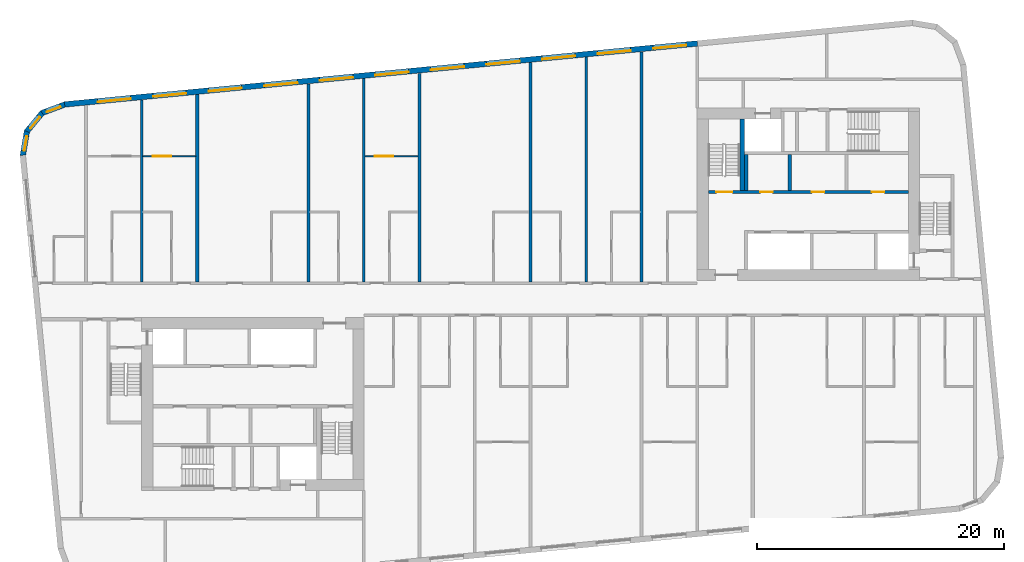
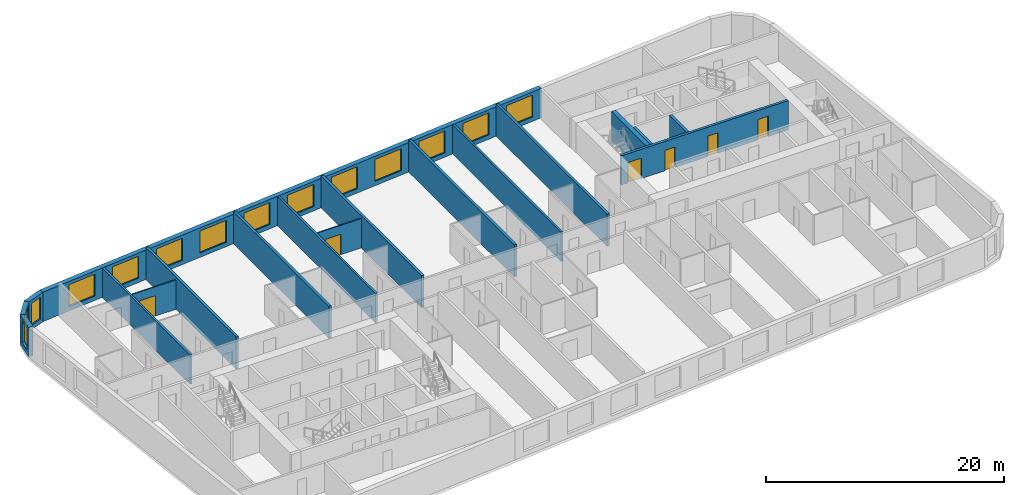
# One storey, part 6 of 12: 18 walls, 14 windows, 6 doors, 20 openings.
"""IFC4 building model written with IfcOpenShell, lengths in metres."""

from ifc_helpers import new_model, si_unit, direction, frame, frame_2d, origin, place, context, subcontext, project, spatial, polyline, rectangle, outline, extrude, material, layer, layer_set, type_object, element, fill, save


model = new_model("IFC4")

# Units and contexts
model_context = context("Model", 3, precision=1e-05, world=origin(), true_north=direction((0.0, 1.0)))
body_context = subcontext(model_context, "Body", "Model", "MODEL_VIEW")
ifc_project = project(units=[si_unit("LENGTHUNIT", "METRE"), si_unit("AREAUNIT", "SQUARE_METRE"), si_unit("VOLUMEUNIT", "CUBIC_METRE"), si_unit("PLANEANGLEUNIT", "RADIAN"), si_unit("MASSUNIT", "GRAM", prefix="KILO")], contexts=[model_context])

# Site, building, storey
site_placement = place(None, origin())
site = spatial("IfcSite", under=ifc_project, at=site_placement, CompositionType="ELEMENT")
building_placement = place(site_placement, origin())
building = spatial("IfcBuilding", under=site, at=building_placement, Name="Kajstack Hotel Tower", CompositionType="ELEMENT")
storey_placement = place(building_placement, frame((0.0, 0.0, 294.89990234375)))
storey = spatial("IfcBuildingStorey", under=building, at=storey_placement, Name="L74", CompositionType="ELEMENT", Elevation=294.89990234375)

# Walls
ifc_material_1 = material(Name="Twin-frame gypsum board on steel studs, mineral wool", Category="steel")
ifc_layer_1 = layer(ifc_material_1, 0.199951171875)
ifc_layer_set_1 = layer_set([ifc_layer_1], Name="Demising wall 200")
wall_type_1 = type_object("IfcWallType", Name="Demising wall 200", PredefinedType="PARTITIONING", material=ifc_layer_set_1)
wall_1_placement = place(storey_placement, frame((-31.5, 1.39990234375, 0.0), z_axis=(0.0, 0.0, 1.0), x_axis=(0.0, 1.0, 0.0)))
element("IfcWall", 1, at=wall_1_placement, inside=storey, type_object=wall_type_1, Name="G-wall-L74-006", PredefinedType="PARTITIONING", context=body_context, shape_type="SweptSolid", body=[
    extrude(rectangle(XDim=14.752197265625, YDim=0.199951171875, at=frame_2d((7.3759765625, 0.0))), origin(), (0.0, 0.0, 1.0), 3.02001953125),
])
wall_2_placement = place(storey_placement, frame((-13.5, 1.39990234375, 0.0), z_axis=(0.0, 0.0, 1.0), x_axis=(0.0, 1.0, 0.0)))
element("IfcWall", 2, at=wall_2_placement, inside=storey, type_object=wall_type_1, Name="G-wall-L74-015", PredefinedType="PARTITIONING", context=body_context, shape_type="SweptSolid", body=[
    extrude(rectangle(XDim=16.485107421875, YDim=0.199951171875, at=frame_2d((8.24267578125, 0.0))), origin(), (0.0, 0.0, 1.0), 3.02001953125),
])
wall_3_placement = place(storey_placement, frame((4.5, 1.39990234375, 0.0), z_axis=(0.0, 0.0, 1.0), x_axis=(0.0, 1.0, 0.0)))
element("IfcWall", 3, at=wall_3_placement, inside=storey, type_object=wall_type_1, Name="G-wall-L74-023", PredefinedType="PARTITIONING", context=body_context, shape_type="SweptSolid", body=[
    extrude(rectangle(XDim=18.218017578125, YDim=0.199951171875, at=frame_2d((9.10888671875, 0.0))), origin(), (0.0, 0.0, 1.0), 3.02001953125),
])

# Wall, openings, windows
ifc_material_2 = material(Name="Terracotta-faced brick masonry", Category="masonry")
ifc_layer_2 = layer(ifc_material_2, 0.449951171875)
ifc_layer_set_2 = layer_set([ifc_layer_2], Name="EW-TERRA")
wall_type_2 = type_object("IfcWallType", Name="EW-TERRA", PredefinedType="SOLIDWALL", material=ifc_layer_set_2)
wall_4_placement = place(storey_placement, frame((13.521484375, 20.712890625, 0.0), z_axis=(0.0, 0.0, 1.0), x_axis=(-0.995396277313, -0.095844932638, 0.0)))
wall_4 = element("IfcWall", 4, at=wall_4_placement, inside=storey, type_object=wall_type_2, Name="E-wall-L74-12-01", PredefinedType="SOLIDWALL", context=body_context, shape_type="SweptSolid", body=[
    extrude(rectangle(XDim=51.4951171875, YDim=0.449951171875, at=frame_2d((25.74755859375, 0.0))), origin(), (0.0, 0.0, 1.0), 3.02001953125),
])
opening_1_placement = place(wall_4_placement, frame((0.910400390625, 0.0, 0.449951171875)))
opening_1 = element("IfcOpeningElement", 5, at=opening_1_placement, cuts=wall_4, Name="Opening W1", PredefinedType="OPENING", context=body_context, shape_type="SweptSolid", body=[
    extrude(rectangle(XDim=2.699951171875, YDim=2.25, at=frame_2d((1.35009765625, 1.125))), frame((0.0, 0.23486328125, 0.0), z_axis=(0.0, -1.0, 0.0), x_axis=(1.0, 0.0, 0.0)), (0.0, 0.0, 1.0), 0.469970703125),
])
opening_2_placement = place(wall_4_placement, frame((5.43115234375, 0.0, 0.449951171875)))
opening_2 = element("IfcOpeningElement", 6, at=opening_2_placement, cuts=wall_4, Name="Opening W1", PredefinedType="OPENING", context=body_context, shape_type="SweptSolid", body=[
    extrude(rectangle(XDim=2.699951171875, YDim=2.25, at=frame_2d((1.35009765625, 1.125))), frame((0.0, 0.23486328125, 0.0), z_axis=(0.0, -1.0, 0.0), x_axis=(1.0, 0.0, 0.0)), (0.0, 0.0, 1.0), 0.469970703125),
])
opening_3_placement = place(wall_4_placement, frame((9.951904296875, 0.0, 0.449951171875)))
opening_3 = element("IfcOpeningElement", 7, at=opening_3_placement, cuts=wall_4, Name="Opening W1", PredefinedType="OPENING", context=body_context, shape_type="SweptSolid", body=[
    extrude(rectangle(XDim=2.699951171875, YDim=2.25, at=frame_2d((1.35009765625, 1.125))), frame((0.0, 0.23486328125, 0.0), z_axis=(0.0, -1.0, 0.0), x_axis=(1.0, 0.0, 0.0)), (0.0, 0.0, 1.0), 0.469970703125),
])
opening_4_placement = place(wall_4_placement, frame((14.472900390625, 0.0, 0.449951171875)))
opening_4 = element("IfcOpeningElement", 8, at=opening_4_placement, cuts=wall_4, Name="Opening W1", PredefinedType="OPENING", context=body_context, shape_type="SweptSolid", body=[
    extrude(rectangle(XDim=2.699951171875, YDim=2.25, at=frame_2d((1.35009765625, 1.125))), frame((0.0, 0.23486328125, 0.0), z_axis=(0.0, -1.0, 0.0), x_axis=(1.0, 0.0, 0.0)), (0.0, 0.0, 1.0), 0.469970703125),
])
opening_5_placement = place(wall_4_placement, frame((18.99365234375, 0.0, 0.449951171875)))
opening_5 = element("IfcOpeningElement", 9, at=opening_5_placement, cuts=wall_4, Name="Opening W1", PredefinedType="OPENING", context=body_context, shape_type="SweptSolid", body=[
    extrude(rectangle(XDim=2.699951171875, YDim=2.25, at=frame_2d((1.35009765625, 1.125))), frame((0.0, 0.23486328125, 0.0), z_axis=(0.0, -1.0, 0.0), x_axis=(1.0, 0.0, 0.0)), (0.0, 0.0, 1.0), 0.469970703125),
])
opening_6_placement = place(wall_4_placement, frame((23.514404296875, 0.0, 0.449951171875)))
opening_6 = element("IfcOpeningElement", 10, at=opening_6_placement, cuts=wall_4, Name="Opening W1", PredefinedType="OPENING", context=body_context, shape_type="SweptSolid", body=[
    extrude(rectangle(XDim=2.699951171875, YDim=2.25, at=frame_2d((1.35009765625, 1.125))), frame((0.0, 0.23486328125, 0.0), z_axis=(0.0, -1.0, 0.0), x_axis=(1.0, 0.0, 0.0)), (0.0, 0.0, 1.0), 0.469970703125),
])
opening_7_placement = place(wall_4_placement, frame((28.035400390625, 0.0, 0.449951171875)))
opening_7 = element("IfcOpeningElement", 11, at=opening_7_placement, cuts=wall_4, Name="Opening W1", PredefinedType="OPENING", context=body_context, shape_type="SweptSolid", body=[
    extrude(rectangle(XDim=2.699951171875, YDim=2.25, at=frame_2d((1.35009765625, 1.125))), frame((0.0, 0.23486328125, 0.0), z_axis=(0.0, -1.0, 0.0), x_axis=(1.0, 0.0, 0.0)), (0.0, 0.0, 1.0), 0.469970703125),
])
opening_8_placement = place(wall_4_placement, frame((32.55615234375, 0.0, 0.449951171875)))
opening_8 = element("IfcOpeningElement", 12, at=opening_8_placement, cuts=wall_4, Name="Opening W1", PredefinedType="OPENING", context=body_context, shape_type="SweptSolid", body=[
    extrude(rectangle(XDim=2.699951171875, YDim=2.25, at=frame_2d((1.35009765625, 1.125))), frame((0.0, 0.23486328125, 0.0), z_axis=(0.0, -1.0, 0.0), x_axis=(1.0, 0.0, 0.0)), (0.0, 0.0, 1.0), 0.469970703125),
])
opening_9_placement = place(wall_4_placement, frame((37.076904296875, 0.0, 0.449951171875)))
opening_9 = element("IfcOpeningElement", 13, at=opening_9_placement, cuts=wall_4, Name="Opening W1", PredefinedType="OPENING", context=body_context, shape_type="SweptSolid", body=[
    extrude(rectangle(XDim=2.699951171875, YDim=2.25, at=frame_2d((1.35009765625, 1.125))), frame((0.0, 0.23486328125, 0.0), z_axis=(0.0, -1.0, 0.0), x_axis=(1.0, 0.0, 0.0)), (0.0, 0.0, 1.0), 0.469970703125),
])
opening_10_placement = place(wall_4_placement, frame((41.59765625, 0.0, 0.449951171875)))
opening_10 = element("IfcOpeningElement", 14, at=opening_10_placement, cuts=wall_4, Name="Opening W1", PredefinedType="OPENING", context=body_context, shape_type="SweptSolid", body=[
    extrude(rectangle(XDim=2.699951171875, YDim=2.25, at=frame_2d((1.35009765625, 1.125))), frame((0.0, 0.23486328125, 0.0), z_axis=(0.0, -1.0, 0.0), x_axis=(1.0, 0.0, 0.0)), (0.0, 0.0, 1.0), 0.469970703125),
])
opening_11_placement = place(wall_4_placement, frame((46.118408203125, 0.0, 0.449951171875)))
opening_11 = element("IfcOpeningElement", 15, at=opening_11_placement, cuts=wall_4, Name="Opening W1", PredefinedType="OPENING", context=body_context, shape_type="SweptSolid", body=[
    extrude(rectangle(XDim=2.699951171875, YDim=2.25, at=frame_2d((1.35009765625, 1.125))), frame((0.0, 0.23486328125, 0.0), z_axis=(0.0, -1.0, 0.0), x_axis=(1.0, 0.0, 0.0)), (0.0, 0.0, 1.0), 0.469970703125),
])
ifc_material_3 = material(Name="Timber-aluminium window, triple glazed", Category="wood")
window_type_1 = type_object("IfcWindowType", Name="WG1", PartitioningType="SINGLE_PANEL", PredefinedType="WINDOW", material=ifc_material_3)
window_1_placement = place(opening_1_placement, origin())
window_1 = element("IfcWindow", 16, at=window_1_placement, inside=storey, type_object=window_type_1, Name="Window W1 L74-12", OverallHeight=2.25, OverallWidth=2.699951171875, PartitioningType="SINGLE_PANEL", PredefinedType="WINDOW", context=body_context, shape_type="SweptSolid", body=[
    extrude(rectangle(XDim=2.699951171875, YDim=2.25, at=frame_2d((1.35009765625, 1.125))), frame((0.0, 0.090087890625, 0.0), z_axis=(0.0, -1.0, 0.0), x_axis=(1.0, 0.0, 0.0)), (0.0, 0.0, 1.0), 0.06005859375),
])
fill(opening_1, window_1)
window_2_placement = place(opening_2_placement, origin())
window_2 = element("IfcWindow", 17, at=window_2_placement, inside=storey, type_object=window_type_1, Name="Window W1 L74-12", OverallHeight=2.25, OverallWidth=2.699951171875, PartitioningType="SINGLE_PANEL", PredefinedType="WINDOW", context=body_context, shape_type="SweptSolid", body=[
    extrude(rectangle(XDim=2.699951171875, YDim=2.25, at=frame_2d((1.35009765625, 1.125))), frame((0.0, 0.090087890625, 0.0), z_axis=(0.0, -1.0, 0.0), x_axis=(1.0, 0.0, 0.0)), (0.0, 0.0, 1.0), 0.06005859375),
])
fill(opening_2, window_2)
window_3_placement = place(opening_3_placement, origin())
window_3 = element("IfcWindow", 18, at=window_3_placement, inside=storey, type_object=window_type_1, Name="Window W1 L74-12", OverallHeight=2.25, OverallWidth=2.699951171875, PartitioningType="SINGLE_PANEL", PredefinedType="WINDOW", context=body_context, shape_type="SweptSolid", body=[
    extrude(rectangle(XDim=2.699951171875, YDim=2.25, at=frame_2d((1.35009765625, 1.125))), frame((0.0, 0.090087890625, 0.0), z_axis=(0.0, -1.0, 0.0), x_axis=(1.0, 0.0, 0.0)), (0.0, 0.0, 1.0), 0.06005859375),
])
fill(opening_3, window_3)
window_4_placement = place(opening_4_placement, origin())
window_4 = element("IfcWindow", 19, at=window_4_placement, inside=storey, type_object=window_type_1, Name="Window W1 L74-12", OverallHeight=2.25, OverallWidth=2.699951171875, PartitioningType="SINGLE_PANEL", PredefinedType="WINDOW", context=body_context, shape_type="SweptSolid", body=[
    extrude(rectangle(XDim=2.699951171875, YDim=2.25, at=frame_2d((1.35009765625, 1.125))), frame((0.0, 0.090087890625, 0.0), z_axis=(0.0, -1.0, 0.0), x_axis=(1.0, 0.0, 0.0)), (0.0, 0.0, 1.0), 0.06005859375),
])
fill(opening_4, window_4)
window_5_placement = place(opening_5_placement, origin())
window_5 = element("IfcWindow", 20, at=window_5_placement, inside=storey, type_object=window_type_1, Name="Window W1 L74-12", OverallHeight=2.25, OverallWidth=2.699951171875, PartitioningType="SINGLE_PANEL", PredefinedType="WINDOW", context=body_context, shape_type="SweptSolid", body=[
    extrude(rectangle(XDim=2.699951171875, YDim=2.25, at=frame_2d((1.35009765625, 1.125))), frame((0.0, 0.090087890625, 0.0), z_axis=(0.0, -1.0, 0.0), x_axis=(1.0, 0.0, 0.0)), (0.0, 0.0, 1.0), 0.06005859375),
])
fill(opening_5, window_5)
window_6_placement = place(opening_6_placement, origin())
window_6 = element("IfcWindow", 21, at=window_6_placement, inside=storey, type_object=window_type_1, Name="Window W1 L74-12", OverallHeight=2.25, OverallWidth=2.699951171875, PartitioningType="SINGLE_PANEL", PredefinedType="WINDOW", context=body_context, shape_type="SweptSolid", body=[
    extrude(rectangle(XDim=2.699951171875, YDim=2.25, at=frame_2d((1.35009765625, 1.125))), frame((0.0, 0.090087890625, 0.0), z_axis=(0.0, -1.0, 0.0), x_axis=(1.0, 0.0, 0.0)), (0.0, 0.0, 1.0), 0.06005859375),
])
fill(opening_6, window_6)
window_7_placement = place(opening_7_placement, origin())
window_7 = element("IfcWindow", 22, at=window_7_placement, inside=storey, type_object=window_type_1, Name="Window W1 L74-12", OverallHeight=2.25, OverallWidth=2.699951171875, PartitioningType="SINGLE_PANEL", PredefinedType="WINDOW", context=body_context, shape_type="SweptSolid", body=[
    extrude(rectangle(XDim=2.699951171875, YDim=2.25, at=frame_2d((1.35009765625, 1.125))), frame((0.0, 0.090087890625, 0.0), z_axis=(0.0, -1.0, 0.0), x_axis=(1.0, 0.0, 0.0)), (0.0, 0.0, 1.0), 0.06005859375),
])
fill(opening_7, window_7)
window_8_placement = place(opening_8_placement, origin())
window_8 = element("IfcWindow", 23, at=window_8_placement, inside=storey, type_object=window_type_1, Name="Window W1 L74-12", OverallHeight=2.25, OverallWidth=2.699951171875, PartitioningType="SINGLE_PANEL", PredefinedType="WINDOW", context=body_context, shape_type="SweptSolid", body=[
    extrude(rectangle(XDim=2.699951171875, YDim=2.25, at=frame_2d((1.35009765625, 1.125))), frame((0.0, 0.090087890625, 0.0), z_axis=(0.0, -1.0, 0.0), x_axis=(1.0, 0.0, 0.0)), (0.0, 0.0, 1.0), 0.06005859375),
])
fill(opening_8, window_8)
window_9_placement = place(opening_9_placement, origin())
window_9 = element("IfcWindow", 24, at=window_9_placement, inside=storey, type_object=window_type_1, Name="Window W1 L74-12", OverallHeight=2.25, OverallWidth=2.699951171875, PartitioningType="SINGLE_PANEL", PredefinedType="WINDOW", context=body_context, shape_type="SweptSolid", body=[
    extrude(rectangle(XDim=2.699951171875, YDim=2.25, at=frame_2d((1.35009765625, 1.125))), frame((0.0, 0.090087890625, 0.0), z_axis=(0.0, -1.0, 0.0), x_axis=(1.0, 0.0, 0.0)), (0.0, 0.0, 1.0), 0.06005859375),
])
fill(opening_9, window_9)
window_10_placement = place(opening_10_placement, origin())
window_10 = element("IfcWindow", 25, at=window_10_placement, inside=storey, type_object=window_type_1, Name="Window W1 L74-12", OverallHeight=2.25, OverallWidth=2.699951171875, PartitioningType="SINGLE_PANEL", PredefinedType="WINDOW", context=body_context, shape_type="SweptSolid", body=[
    extrude(rectangle(XDim=2.699951171875, YDim=2.25, at=frame_2d((1.35009765625, 1.125))), frame((0.0, 0.090087890625, 0.0), z_axis=(0.0, -1.0, 0.0), x_axis=(1.0, 0.0, 0.0)), (0.0, 0.0, 1.0), 0.06005859375),
])
fill(opening_10, window_10)
window_11_placement = place(opening_11_placement, origin())
window_11 = element("IfcWindow", 26, at=window_11_placement, inside=storey, type_object=window_type_1, Name="Window W1 L74-12", OverallHeight=2.25, OverallWidth=2.699951171875, PartitioningType="SINGLE_PANEL", PredefinedType="WINDOW", context=body_context, shape_type="SweptSolid", body=[
    extrude(rectangle(XDim=2.699951171875, YDim=2.25, at=frame_2d((1.35009765625, 1.125))), frame((0.0, 0.090087890625, 0.0), z_axis=(0.0, -1.0, 0.0), x_axis=(1.0, 0.0, 0.0)), (0.0, 0.0, 1.0), 0.06005859375),
])
fill(opening_11, window_11)

# Wall, opening, window
wall_5_placement = place(storey_placement, frame((-37.67919921875, 15.79052734375, 0.0), z_axis=(0.0, 0.0, 1.0), x_axis=(-0.936677599948, -0.350192909346, 0.0)))
wall_5 = element("IfcWall", 27, at=wall_5_placement, inside=storey, type_object=wall_type_2, Name="E-wall-L74-13-00", PredefinedType="SOLIDWALL", context=body_context, shape_type="SweptSolid", body=[
    extrude(outline(polyline([(0.000244140625, -0.224853515625), (2.070556640625, -0.224853515625), (1.949951171875, 0.22509765625), (0.12060546875, 0.22509765625), (0.000244140625, -0.224853515625)])), origin(), (0.0, 0.0, 1.0), 3.02001953125),
])
opening_12_placement = place(wall_5_placement, frame((0.435302734375, 0.0, 0.449951171875)))
opening_12 = element("IfcOpeningElement", 28, at=opening_12_placement, cuts=wall_5, Name="Opening W3", PredefinedType="OPENING", context=body_context, shape_type="SweptSolid", body=[
    extrude(rectangle(XDim=1.199951171875, YDim=2.25, at=frame_2d((0.60009765625, 1.125))), frame((0.0, 0.23486328125, 0.0), z_axis=(0.0, -1.0, 0.0), x_axis=(1.0, 0.0, 0.0)), (0.0, 0.0, 1.0), 0.469970703125),
])
window_type_2 = type_object("IfcWindowType", Name="WG3", PartitioningType="SINGLE_PANEL", PredefinedType="WINDOW", material=ifc_material_3)
window_12_placement = place(opening_12_placement, origin())
window_12 = element("IfcWindow", 29, at=window_12_placement, inside=storey, type_object=window_type_2, Name="Window W3 L74-13", OverallHeight=2.25, OverallWidth=1.199951171875, PartitioningType="SINGLE_PANEL", PredefinedType="WINDOW", context=body_context, shape_type="SweptSolid", body=[
    extrude(rectangle(XDim=1.199951171875, YDim=2.25, at=frame_2d((0.60009765625, 1.125))), frame((0.0, 0.090087890625, 0.0), z_axis=(0.0, -1.0, 0.0), x_axis=(1.0, 0.0, 0.0)), (0.0, 0.0, 1.0), 0.06005859375),
])
fill(opening_12, window_12)

wall_6_placement = place(storey_placement, frame((-39.52392578125, 15.133056640625, 0.0), z_axis=(0.0, 0.0, 1.0), x_axis=(-0.636046112757, -0.771651049663, 0.0)))
wall_6 = element("IfcWall", 30, at=wall_6_placement, inside=storey, type_object=wall_type_2, Name="E-wall-L74-14-00", PredefinedType="SOLIDWALL", context=body_context, shape_type="SweptSolid", body=[
    extrude(outline(polyline([(0.0, -0.224853515625), (2.070556640625, -0.224853515625), (1.949951171875, 0.22509765625), (0.12060546875, 0.22509765625), (0.0, -0.224853515625)])), origin(), (0.0, 0.0, 1.0), 3.02001953125),
])
opening_13_placement = place(wall_6_placement, frame((0.435302734375, 0.0, 0.449951171875)))
opening_13 = element("IfcOpeningElement", 31, at=opening_13_placement, cuts=wall_6, Name="Opening W3", PredefinedType="OPENING", context=body_context, shape_type="SweptSolid", body=[
    extrude(rectangle(XDim=1.199951171875, YDim=2.25, at=frame_2d((0.60009765625, 1.125))), frame((0.0, 0.23486328125, 0.0), z_axis=(0.0, -1.0, 0.0), x_axis=(1.0, 0.0, 0.0)), (0.0, 0.0, 1.0), 0.469970703125),
])
window_13_placement = place(opening_13_placement, origin())
window_13 = element("IfcWindow", 32, at=window_13_placement, inside=storey, type_object=window_type_2, Name="Window W3 L74-14", OverallHeight=2.25, OverallWidth=1.199951171875, PartitioningType="SINGLE_PANEL", PredefinedType="WINDOW", context=body_context, shape_type="SweptSolid", body=[
    extrude(rectangle(XDim=1.199951171875, YDim=2.25, at=frame_2d((0.60009765625, 1.125))), frame((0.0, 0.090087890625, 0.0), z_axis=(0.0, -1.0, 0.0), x_axis=(1.0, 0.0, 0.0)), (0.0, 0.0, 1.0), 0.06005859375),
])
fill(opening_13, window_13)

wall_7_placement = place(storey_placement, frame((-40.79248046875, 13.641357421875, 0.0), z_axis=(0.0, 0.0, 1.0), x_axis=(-0.165068144653, -0.986282164302, 0.0)))
wall_7 = element("IfcWall", 33, at=wall_7_placement, inside=storey, type_object=wall_type_2, Name="E-wall-L74-15-00", PredefinedType="SOLIDWALL", context=body_context, shape_type="SweptSolid", body=[
    extrude(outline(polyline([(0.0, -0.22509765625), (2.070556640625, -0.22509765625), (1.949951171875, 0.224853515625), (0.12060546875, 0.224853515625), (0.0, -0.22509765625)])), origin(), (0.0, 0.0, 1.0), 3.02001953125),
])
opening_14_placement = place(wall_7_placement, frame((0.435302734375, 0.0, 0.449951171875)))
opening_14 = element("IfcOpeningElement", 34, at=opening_14_placement, cuts=wall_7, Name="Opening W3", PredefinedType="OPENING", context=body_context, shape_type="SweptSolid", body=[
    extrude(rectangle(XDim=1.199951171875, YDim=2.25, at=frame_2d((0.60009765625, 1.125))), frame((0.0, 0.23486328125, 0.0), z_axis=(0.0, -1.0, 0.0), x_axis=(1.0, 0.0, 0.0)), (0.0, 0.0, 1.0), 0.469970703125),
])
window_14_placement = place(opening_14_placement, origin())
window_14 = element("IfcWindow", 35, at=window_14_placement, inside=storey, type_object=window_type_2, Name="Window W3 L74-15", OverallHeight=2.25, OverallWidth=1.199951171875, PartitioningType="SINGLE_PANEL", PredefinedType="WINDOW", context=body_context, shape_type="SweptSolid", body=[
    extrude(rectangle(XDim=1.199951171875, YDim=2.25, at=frame_2d((0.60009765625, 1.125))), frame((0.0, 0.090087890625, 0.0), z_axis=(0.0, -1.0, 0.0), x_axis=(1.0, 0.0, 0.0)), (0.0, 0.0, 1.0), 0.06005859375),
])
fill(opening_14, window_14)

# Wall, opening, door
ifc_material_4 = material(Name="Gypsum board on steel studs", Category="steel")
ifc_layer_3 = layer(ifc_material_4, 0.10009765625)
ifc_layer_set_3 = layer_set([ifc_layer_3], Name="Partition 100")
wall_type_3 = type_object("IfcWallType", Name="Partition 100", PredefinedType="PARTITIONING", material=ifc_layer_set_3)
wall_8_placement = place(storey_placement, frame((-31.39990234375, 11.574951171875, 0.0), z_axis=(0.0, 0.0, 1.0), x_axis=(1.0, 0.0, 0.0)))
wall_8 = element("IfcWall", 36, at=wall_8_placement, inside=storey, type_object=wall_type_3, Name="G-wall-L74-012", PredefinedType="PARTITIONING", context=body_context, shape_type="SweptSolid", body=[
    extrude(rectangle(XDim=4.27490234375, YDim=0.10009765625, at=frame_2d((2.137451171875, 0.0))), origin(), (0.0, 0.0, 1.0), 3.02001953125),
])
opening_15_placement = place(wall_8_placement, frame((0.787109375, 0.0, 0.0)))
opening_15 = element("IfcOpeningElement", 37, at=opening_15_placement, cuts=wall_8, Name="Opening 74008", PredefinedType="OPENING", context=body_context, shape_type="SweptSolid", body=[
    extrude(rectangle(XDim=1.5, YDim=2.10009765625, at=frame_2d((0.75, 1.050048828125))), frame((0.0, 0.06005859375, 0.0), z_axis=(0.0, -1.0, 0.0), x_axis=(1.0, 0.0, 0.0)), (0.0, 0.0, 1.0), 0.1201171875),
])
ifc_material_5 = material(Name="Painted timber door leaves, glazed panels", Category="wood")
door_type_1 = type_object("IfcDoorType", Name="Double door 1500", OperationType="SINGLE_SWING_LEFT", PredefinedType="DOOR", material=ifc_material_5)
door_1_placement = place(opening_15_placement, origin())
door_1 = element("IfcDoor", 38, at=door_1_placement, inside=storey, type_object=door_type_1, Name="G-door-L74-08", OperationType="SINGLE_SWING_RIGHT", OverallHeight=2.10009765625, OverallWidth=1.5, PredefinedType="DOOR", context=body_context, shape_type="SweptSolid", body=[
    extrude(rectangle(XDim=1.5, YDim=2.10009765625, at=frame_2d((0.75, 1.050048828125))), frame((0.0, 0.02490234375, 0.0), z_axis=(0.0, -1.0, 0.0), x_axis=(1.0, 0.0, 0.0)), (0.0, 0.0, 1.0), 0.050048828125),
])
fill(opening_15, door_1)

wall_9_placement = place(storey_placement, frame((-13.39990234375, 11.574951171875, 0.0), z_axis=(0.0, 0.0, 1.0), x_axis=(1.0, 0.0, 0.0)))
wall_9 = element("IfcWall", 39, at=wall_9_placement, inside=storey, type_object=wall_type_3, Name="G-wall-L74-020", PredefinedType="PARTITIONING", context=body_context, shape_type="SweptSolid", body=[
    extrude(rectangle(XDim=4.27490234375, YDim=0.10009765625, at=frame_2d((2.137451171875, 0.0))), origin(), (0.0, 0.0, 1.0), 3.02001953125),
])
opening_16_placement = place(wall_9_placement, frame((0.7880859375, 0.0, 0.0)))
opening_16 = element("IfcOpeningElement", 40, at=opening_16_placement, cuts=wall_9, Name="Opening 74015", PredefinedType="OPENING", context=body_context, shape_type="SweptSolid", body=[
    extrude(rectangle(XDim=1.5, YDim=2.10009765625, at=frame_2d((0.75, 1.050048828125))), frame((0.0, 0.06005859375, 0.0), z_axis=(0.0, -1.0, 0.0), x_axis=(1.0, 0.0, 0.0)), (0.0, 0.0, 1.0), 0.1201171875),
])
door_2_placement = place(opening_16_placement, origin())
door_2 = element("IfcDoor", 41, at=door_2_placement, inside=storey, type_object=door_type_1, Name="G-door-L74-15", OperationType="SINGLE_SWING_LEFT", OverallHeight=2.10009765625, OverallWidth=1.5, PredefinedType="DOOR", context=body_context, shape_type="SweptSolid", body=[
    extrude(rectangle(XDim=1.5, YDim=2.10009765625, at=frame_2d((0.75, 1.050048828125))), frame((0.0, 0.02490234375, 0.0), z_axis=(0.0, -1.0, 0.0), x_axis=(1.0, 0.0, 0.0)), (0.0, 0.0, 1.0), 0.050048828125),
])
fill(opening_16, door_2)

# Walls
ifc_material_6 = material(Name="Concrete C40/50", Category="concrete")
ifc_layer_4 = layer(ifc_material_6, 0.25)
ifc_layer_set_4 = layer_set([ifc_layer_4], Name="RC cross wall 250 C40/50")
wall_type_4 = type_object("IfcWallType", Name="RC cross wall 250 C40/50", PredefinedType="SHEAR", material=ifc_layer_set_4)
wall_10_placement = place(storey_placement, frame((-27.0, 1.39990234375, 0.0), z_axis=(0.0, 0.0, 1.0), x_axis=(0.0, 1.0, 0.0)))
element("IfcWall", 42, at=wall_10_placement, inside=storey, type_object=wall_type_4, Name="S-wall-L74-02", PredefinedType="SHEAR", context=body_context, shape_type="SweptSolid", body=[
    extrude(rectangle(XDim=15.1630859375, YDim=0.25, at=frame_2d((7.58154296875, 0.0))), origin(), (0.0, 0.0, 1.0), 3.300048828125),
])
wall_11_placement = place(storey_placement, frame((-18.0, 1.39990234375, 0.0), z_axis=(0.0, 0.0, 1.0), x_axis=(0.0, 1.0, 0.0)))
element("IfcWall", 43, at=wall_11_placement, inside=storey, type_object=wall_type_4, Name="S-wall-L74-03", PredefinedType="SHEAR", context=body_context, shape_type="SweptSolid", body=[
    extrude(rectangle(XDim=16.029541015625, YDim=0.25, at=frame_2d((8.0146484375, 0.0))), origin(), (0.0, 0.0, 1.0), 3.300048828125),
])
wall_12_placement = place(storey_placement, frame((-9.0, 1.39990234375, 0.0), z_axis=(0.0, 0.0, 1.0), x_axis=(0.0, 1.0, 0.0)))
element("IfcWall", 44, at=wall_12_placement, inside=storey, type_object=wall_type_4, Name="S-wall-L74-05", PredefinedType="SHEAR", context=body_context, shape_type="SweptSolid", body=[
    extrude(rectangle(XDim=16.896240234375, YDim=0.25, at=frame_2d((8.4482421875, 0.0))), origin(), (0.0, 0.0, 1.0), 3.300048828125),
])
wall_13_placement = place(storey_placement, frame((0.0, 1.39990234375, 0.0), z_axis=(0.0, 0.0, 1.0), x_axis=(0.0, 1.0, 0.0)))
element("IfcWall", 45, at=wall_13_placement, inside=storey, type_object=wall_type_4, Name="S-wall-L74-07", PredefinedType="SHEAR", context=body_context, shape_type="SweptSolid", body=[
    extrude(rectangle(XDim=17.7626953125, YDim=0.25, at=frame_2d((8.88134765625, 0.0))), origin(), (0.0, 0.0, 1.0), 3.300048828125),
])
wall_14_placement = place(storey_placement, frame((9.0, 1.39990234375, 0.0), z_axis=(0.0, 0.0, 1.0), x_axis=(0.0, 1.0, 0.0)))
element("IfcWall", 46, at=wall_14_placement, inside=storey, type_object=wall_type_4, Name="S-wall-L74-09", PredefinedType="SHEAR", context=body_context, shape_type="SweptSolid", body=[
    extrude(rectangle(XDim=18.62939453125, YDim=0.25, at=frame_2d((9.314697265625, 0.0))), origin(), (0.0, 0.0, 1.0), 3.300048828125),
])
ifc_material_7 = material(Name="Concrete block masonry", Category="masonry")
ifc_layer_5 = layer(ifc_material_7, 0.25)
ifc_layer_set_5 = layer_set([ifc_layer_5], Name="Riser partition 250")
wall_type_5 = type_object("IfcWallType", Name="Riser partition 250", PredefinedType="PARTITIONING", material=ifc_layer_set_5)
wall_15_placement = place(storey_placement, frame((21.0, 8.800048828125, 0.0), z_axis=(0.0, 0.0, 1.0), x_axis=(0.0, 1.0, 0.0)))
element("IfcWall", 47, at=wall_15_placement, inside=storey, type_object=wall_type_5, Name="Partition E BF1", PredefinedType="PARTITIONING", context=body_context, shape_type="SweptSolid", body=[
    extrude(rectangle(XDim=2.89990234375, YDim=0.25, at=frame_2d((1.449951171875, 0.0))), origin(), (0.0, 0.0, 1.0), 3.02001953125),
])

# Wall, openings, doors
ifc_material_8 = material(Name="Concrete C50/60", Category="concrete")
ifc_layer_6 = layer(ifc_material_8, 0.25)
ifc_layer_set_6 = layer_set([ifc_layer_6], Name="Shaft wall 250")
wall_type_6 = type_object("IfcWallType", Name="Shaft wall 250", PredefinedType="SHEAR", material=ifc_layer_set_6)
wall_16_placement = place(storey_placement, frame((14.39990234375, 8.675048828125, 0.0), z_axis=(0.0, 0.0, 1.0), x_axis=(1.0, 0.0, 0.0)))
wall_16 = element("IfcWall", 48, at=wall_16_placement, inside=storey, type_object=wall_type_6, Name="Core wall E FB", PredefinedType="SHEAR", context=body_context, shape_type="SweptSolid", body=[
    extrude(rectangle(XDim=16.2001953125, YDim=0.25, at=frame_2d((8.10009765625, 0.0))), origin(), (0.0, 0.0, 1.0), 3.02001953125),
])
opening_17_placement = place(wall_16_placement, frame((0.64990234375, 0.0, 0.0)))
opening_17 = element("IfcOpeningElement", 49, at=opening_17_placement, cuts=wall_16, Name="Opening 74E09", PredefinedType="OPENING", context=body_context, shape_type="SweptSolid", body=[
    extrude(rectangle(XDim=1.300048828125, YDim=2.10009765625, at=frame_2d((0.64990234375, 1.050048828125))), frame((0.0, 0.135009765625, 0.0), z_axis=(0.0, -1.0, 0.0), x_axis=(1.0, 0.0, 0.0)), (0.0, 0.0, 1.0), 0.27001953125),
])
opening_18_placement = place(wall_16_placement, frame((13.262451171875, 0.0, 0.0)))
opening_18 = element("IfcOpeningElement", 50, at=opening_18_placement, cuts=wall_16, Name="Opening 74E12", PredefinedType="OPENING", context=body_context, shape_type="SweptSolid", body=[
    extrude(rectangle(XDim=1.0, YDim=2.10009765625, at=frame_2d((0.5, 1.050048828125))), frame((0.0, 0.135009765625, 0.0), z_axis=(0.0, -1.0, 0.0), x_axis=(1.0, 0.0, 0.0)), (0.0, 0.0, 1.0), 0.27001953125),
])
opening_19_placement = place(wall_16_placement, frame((8.39990234375, 0.0, 0.0)))
opening_19 = element("IfcOpeningElement", 51, at=opening_19_placement, cuts=wall_16, Name="Opening 74E13", PredefinedType="OPENING", context=body_context, shape_type="SweptSolid", body=[
    extrude(rectangle(XDim=1.0, YDim=2.10009765625, at=frame_2d((0.5, 1.050048828125))), frame((0.0, 0.135009765625, 0.0), z_axis=(0.0, -1.0, 0.0), x_axis=(1.0, 0.0, 0.0)), (0.0, 0.0, 1.0), 0.27001953125),
])
opening_20_placement = place(wall_16_placement, frame((4.21240234375, 0.0, 0.0)))
opening_20 = element("IfcOpeningElement", 52, at=opening_20_placement, cuts=wall_16, Name="Opening 74E14", PredefinedType="OPENING", context=body_context, shape_type="SweptSolid", body=[
    extrude(rectangle(XDim=1.0, YDim=2.10009765625, at=frame_2d((0.5, 1.050048828125))), frame((0.0, 0.135009765625, 0.0), z_axis=(0.0, -1.0, 0.0), x_axis=(1.0, 0.0, 0.0)), (0.0, 0.0, 1.0), 0.27001953125),
])
ifc_material_9 = material(Name="Timber leaf, fire-rated", Category="wood")
door_type_2 = type_object("IfcDoorType", Name="Service room door 1000", OperationType="SINGLE_SWING_LEFT", PredefinedType="DOOR", material=ifc_material_9)
door_3_placement = place(opening_18_placement, origin())
door_3 = element("IfcDoor", 53, at=door_3_placement, inside=storey, type_object=door_type_2, Name="Door 74E12", OperationType="SINGLE_SWING_LEFT", OverallHeight=2.10009765625, OverallWidth=1.0, PredefinedType="DOOR", context=body_context, shape_type="SweptSolid", body=[
    extrude(rectangle(XDim=1.0, YDim=2.10009765625, at=frame_2d((0.5, 1.050048828125))), frame((0.0, 0.02490234375, 0.0), z_axis=(0.0, -1.0, 0.0), x_axis=(1.0, 0.0, 0.0)), (0.0, 0.0, 1.0), 0.050048828125),
])
fill(opening_18, door_3)
door_4_placement = place(opening_19_placement, origin())
door_4 = element("IfcDoor", 54, at=door_4_placement, inside=storey, type_object=door_type_2, Name="Door 74E13", OperationType="SINGLE_SWING_LEFT", OverallHeight=2.10009765625, OverallWidth=1.0, PredefinedType="DOOR", context=body_context, shape_type="SweptSolid", body=[
    extrude(rectangle(XDim=1.0, YDim=2.10009765625, at=frame_2d((0.5, 1.050048828125))), frame((0.0, 0.02490234375, 0.0), z_axis=(0.0, -1.0, 0.0), x_axis=(1.0, 0.0, 0.0)), (0.0, 0.0, 1.0), 0.050048828125),
])
fill(opening_19, door_4)
door_5_placement = place(opening_20_placement, origin())
door_5 = element("IfcDoor", 55, at=door_5_placement, inside=storey, type_object=door_type_2, Name="Door 74E14", OperationType="SINGLE_SWING_LEFT", OverallHeight=2.10009765625, OverallWidth=1.0, PredefinedType="DOOR", context=body_context, shape_type="SweptSolid", body=[
    extrude(rectangle(XDim=1.0, YDim=2.10009765625, at=frame_2d((0.5, 1.050048828125))), frame((0.0, 0.02490234375, 0.0), z_axis=(0.0, -1.0, 0.0), x_axis=(1.0, 0.0, 0.0)), (0.0, 0.0, 1.0), 0.050048828125),
])
fill(opening_20, door_5)
ifc_material_10 = material(Name="Steel leaf, fire-rated", Category="steel")
door_type_3 = type_object("IfcDoorType", Name="Stair door 1300", OperationType="SINGLE_SWING_LEFT", PredefinedType="DOOR", material=ifc_material_10)
door_6_placement = place(opening_17_placement, origin())
door_6 = element("IfcDoor", 56, at=door_6_placement, inside=storey, type_object=door_type_3, Name="Door 74E09", OperationType="SINGLE_SWING_LEFT", OverallHeight=2.10009765625, OverallWidth=1.300048828125, PredefinedType="DOOR", context=body_context, shape_type="SweptSolid", body=[
    extrude(rectangle(XDim=1.300048828125, YDim=2.10009765625, at=frame_2d((0.64990234375, 1.050048828125))), frame((0.0, 0.02490234375, 0.0), z_axis=(0.0, -1.0, 0.0), x_axis=(1.0, 0.0, 0.0)), (0.0, 0.0, 1.0), 0.050048828125),
])
fill(opening_17, door_6)

# Walls
wall_17_placement = place(storey_placement, frame((17.47509765625, 8.800048828125, 0.0), z_axis=(0.0, 0.0, 1.0), x_axis=(0.0, 1.0, 0.0)))
element("IfcWall", 57, at=wall_17_placement, inside=storey, type_object=wall_type_6, Name="Core wall E BE", PredefinedType="SHEAR", context=body_context, shape_type="SweptSolid", body=[
    extrude(rectangle(XDim=2.89990234375, YDim=0.25, at=frame_2d((1.449951171875, 0.0))), origin(), (0.0, 0.0, 1.0), 3.02001953125),
])
ifc_layer_7 = layer(ifc_material_8, 0.39990234375)
ifc_layer_set_7 = layer_set([ifc_layer_7], Name="Stair wall 400")
wall_type_7 = type_object("IfcWallType", Name="Stair wall 400", PredefinedType="SHEAR", material=ifc_layer_set_7)
wall_18_placement = place(storey_placement, frame((17.14990234375, 8.800048828125, 0.0), z_axis=(0.0, 0.0, 1.0), x_axis=(0.0, 1.0, 0.0)))
element("IfcWall", 58, at=wall_18_placement, inside=storey, type_object=wall_type_7, Name="Core wall E WW2", PredefinedType="SHEAR", context=body_context, shape_type="SweptSolid", body=[
    extrude(rectangle(XDim=5.800048828125, YDim=0.39990234375, at=frame_2d((2.89990234375, 0.0))), origin(), (0.0, 0.0, 1.0), 3.02001953125),
])

save(model, "model.ifc")
